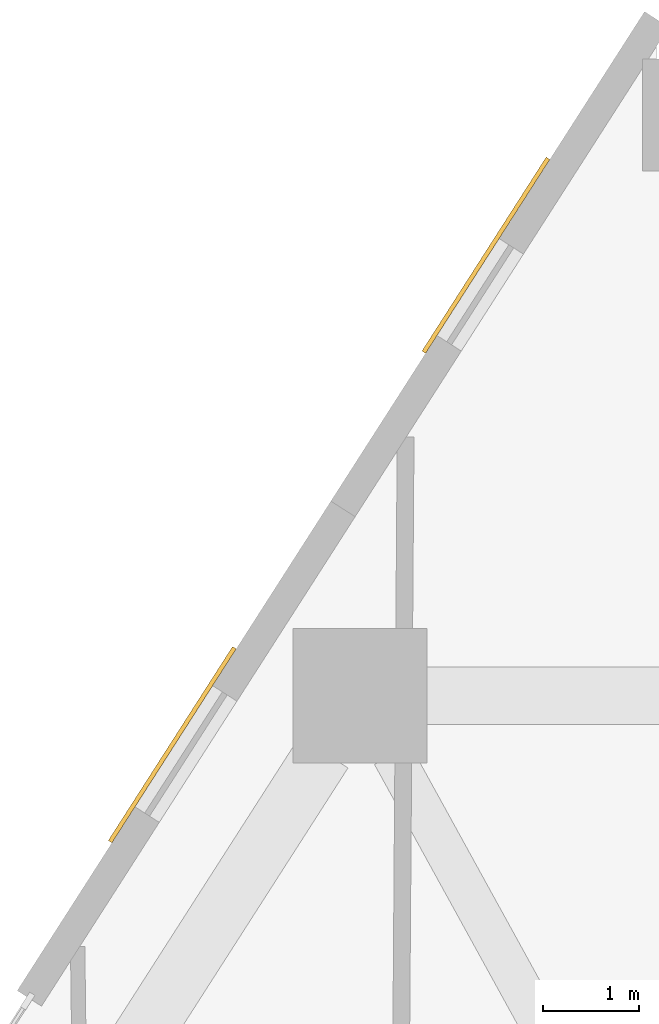
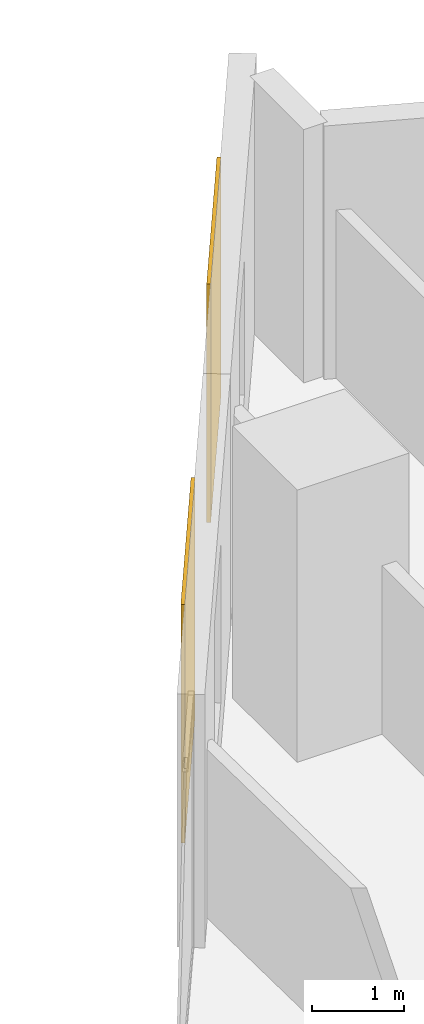
# One storey, part 14 of 14: 2 coverings.
"""IFC4 building model written with IfcOpenShell, lengths in metres."""

from ifc_helpers import new_model, si_unit, direction, frame, origin, origin_2d, place, context, subcontext, project, spatial, rectangle, extrude, material, layer, layer_set, type_object, element, save


model = new_model("IFC4")

# Units and contexts
model_context = context("Model", 3, precision=1e-05, world=origin(), true_north=direction((0.0, 1.0)))
body_context = subcontext(model_context, "Body", "Model", "MODEL_VIEW")
ifc_project = project(units=[si_unit("LENGTHUNIT", "METRE"), si_unit("AREAUNIT", "SQUARE_METRE"), si_unit("VOLUMEUNIT", "CUBIC_METRE"), si_unit("PLANEANGLEUNIT", "RADIAN"), si_unit("MASSUNIT", "GRAM", prefix="KILO")], contexts=[model_context])

# Site, building, storey
site_placement = place(None, origin())
site = spatial("IfcSite", under=ifc_project, at=site_placement, CompositionType="ELEMENT")
building_placement = place(site_placement, origin())
building = spatial("IfcBuilding", under=site, at=building_placement, Name="Almagre Mirador Tower", CompositionType="ELEMENT")
storey_placement = place(building_placement, frame((0.0, 0.0, 35.39990234375)))
storey = spatial("IfcBuildingStorey", under=building, at=storey_placement, Name="L07", CompositionType="ELEMENT", Elevation=35.39990234375)

# Coverings
ifc_material = material(Name="Almagre terracotta architectural cladding", Category="masonry")
ifc_layer = layer(ifc_material, 0.044921875)
ifc_layer_set = layer_set([ifc_layer], Name="Almagre terracotta architectural cladding")
covering_type = type_object("IfcCoveringType", Name="COV-CLAD-ALMAGRE", PredefinedType="CLADDING", material=ifc_layer_set)
for number, where, z_axis, x_axis, name in (
    (1, (28.145751953125, 38.863525390625, 0.10009765625), (0.0, 0.0, 1.0), (0.539520453445, 0.841972493799, 0.0), "L07 almagre terracotta pier cladding"),
    (2, (31.414306640625, 43.964599609375, 0.10009765625), (0.0, 0.0, 1.0), (0.539535148555, 0.841963077263, 0.0), "L07 almagre terracotta pier cladding"),
):
    element("IfcCovering", number, at=place(storey_placement, frame(where, z_axis=z_axis, x_axis=x_axis)), inside=storey, type_object=covering_type, Name=name, PredefinedType="CLADDING", context=body_context, shape_type="SweptSolid", body=[
        extrude(rectangle(XDim=2.39990234375, YDim=0.044921875, at=origin_2d()), origin(), (0.0, 0.0, 1.0), 3.14990234375),
    ])

save(model, "model.ifc")
